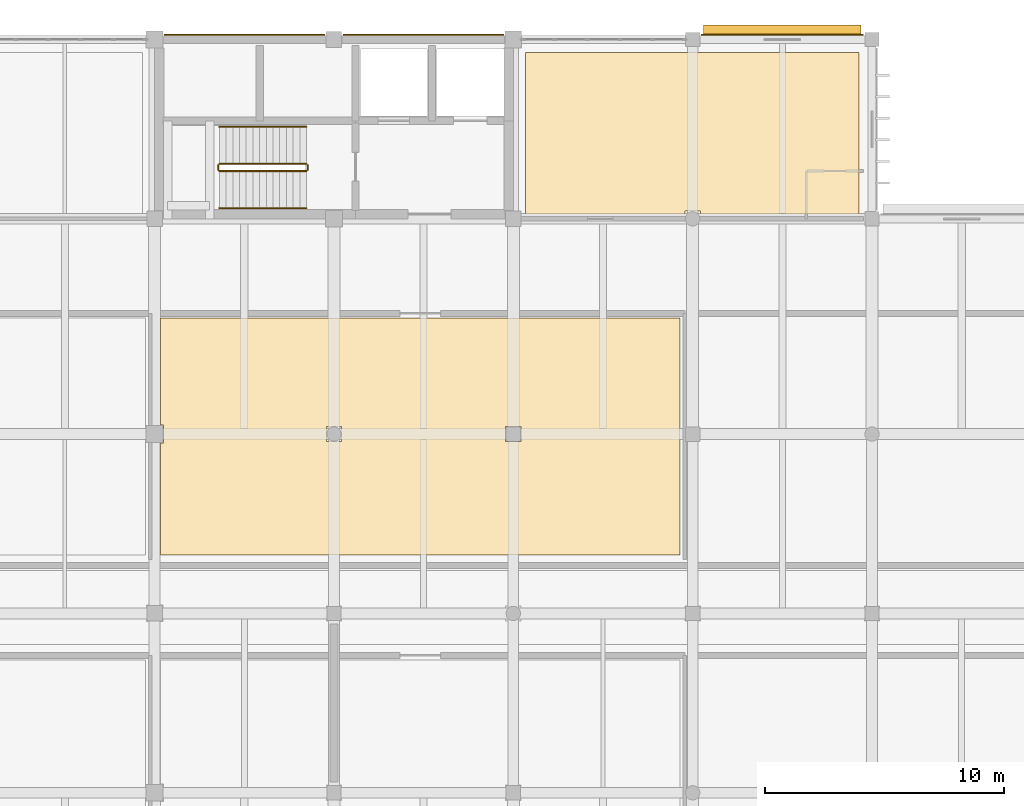
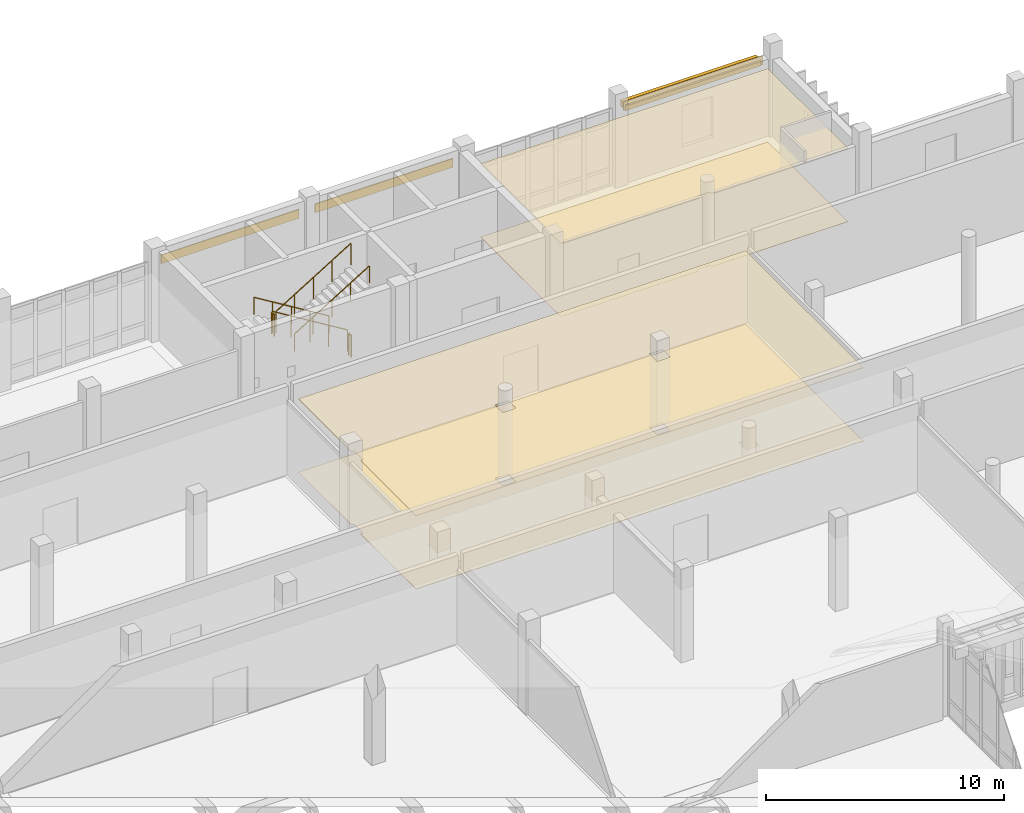
# One storey, part 126 of 131: 7 coverings, 6 railings, 1 shading device.
"""IFC4 building model written with IfcOpenShell, lengths in metres."""

from ifc_helpers import new_model, si_unit, direction, frame, origin, origin_2d, place, context, subcontext, project, spatial, polyline, rectangle, circle, outline, extrude, material, layer, layer_set, type_object, element, save


model = new_model("IFC4")

# Units and contexts
model_context = context("Model", 3, precision=1e-05, world=origin(), true_north=direction((0.0, 1.0)))
body_context = subcontext(model_context, "Body", "Model", "MODEL_VIEW")
ifc_project = project(units=[si_unit("LENGTHUNIT", "METRE"), si_unit("AREAUNIT", "SQUARE_METRE"), si_unit("VOLUMEUNIT", "CUBIC_METRE"), si_unit("PLANEANGLEUNIT", "RADIAN"), si_unit("MASSUNIT", "GRAM", prefix="KILO")], contexts=[model_context])

# Site, building, storey
site_placement = place(None, origin())
site = spatial("IfcSite", under=ifc_project, at=site_placement, CompositionType="ELEMENT")
building_placement = place(site_placement, origin())
building = spatial("IfcBuilding", under=site, at=building_placement, Name="Dalvernix Boulevard General Hospital", CompositionType="ELEMENT")
storey_placement = place(building_placement, frame((0.0, 0.0, 9.300048828125)))
storey = spatial("IfcBuildingStorey", under=building, at=storey_placement, Name="L02", CompositionType="ELEMENT", Elevation=9.300048828125)

# Coverings
ifc_material_1 = material(Name="Antimicrobial acoustic mineral-fibre suspended ceiling")
ifc_layer_1 = layer(ifc_material_1, 0.02490234375)
ifc_layer_set_1 = layer_set([ifc_layer_1], Name="Antimicrobial acoustic mineral-fibre suspended ceiling (COV-CEIL-01)")
covering_type_1 = type_object("IfcCoveringType", Name="COV-CEIL-01", PredefinedType="CEILING", material=ifc_layer_set_1)
covering_1_placement = place(storey_placement, frame((0.0, 0.0, 3.7548828125)))
element("IfcCovering", 1, at=covering_1_placement, inside=storey, type_object=covering_type_1, Name="L02 High Dependency Surgical Recovery Unit hygienic suspended ceiling", PredefinedType="CEILING", context=body_context, shape_type="SweptSolid", body=[
    extrude(outline(polyline([(120.320068359375, 109.699951171875), (120.320068359375, 109.820068359375), (119.679931640625, 109.820068359375), (119.679931640625, 109.699951171875), (113.0, 109.699951171875), (113.0, 116.449951171875), (126.949951171875, 116.449951171875), (126.949951171875, 109.699951171875), (120.320068359375, 109.699951171875)])), origin(), (0.0, 0.0, 1.0), 0.025146484375),
])
covering_2_placement = place(storey_placement, frame((0.0, 0.0, 3.7548828125)))
element("IfcCovering", 2, at=covering_2_placement, inside=storey, type_object=covering_type_1, Name="L02 Operating Theatre 04 hygienic suspended ceiling", PredefinedType="CEILING", context=body_context, shape_type="SweptSolid", body=[
    extrude(outline(polyline([(97.8701171875, 100.1298828125), (97.8701171875, 100.8701171875), (97.75, 100.8701171875), (97.75, 105.35009765625), (119.469970703125, 105.35009765625), (119.469970703125, 95.449951171875), (97.75, 95.449951171875), (97.75, 100.1298828125), (97.8701171875, 100.1298828125)]), holes=[polyline([(104.679931640625, 100.820068359375), (104.679931640625, 100.179931640625), (105.320068359375, 100.179931640625), (105.320068359375, 100.820068359375), (104.679931640625, 100.820068359375)]), polyline([(112.820068359375, 100.820068359375), (112.179931640625, 100.820068359375), (112.179931640625, 100.179931640625), (112.820068359375, 100.179931640625), (112.820068359375, 100.820068359375)])]), origin(), (0.0, 0.0, 1.0), 0.025146484375),
])
ifc_material_2 = material(Name="Polychrome Catalan glazed ceramic spandrel tile panel")
ifc_layer_2 = layer(ifc_material_2, 0.044921875)
ifc_layer_set_2 = layer_set([ifc_layer_2], Name="Polychrome Catalan glazed ceramic spandrel tile panel (COV-CLD-01)")
covering_type_2 = type_object("IfcCoveringType", Name="COV-CLD-01", PredefinedType="CLADDING", material=ifc_layer_set_2)
for number, where, z_axis, x_axis, name in (
    (3, (101.262451171875, 117.195068359375, 3.47509765625), (0.0, 0.0, 1.0), (1.0, 0.0, 0.0), "L02 polychrome ceramic spandrel N 13-15"),
    (4, (108.737548828125, 117.195068359375, 3.47509765625), (0.0, 0.0, 1.0), (1.0, 0.0, 0.0), "L02 polychrome ceramic spandrel N 14-15"),
):
    element("IfcCovering", number, at=place(storey_placement, frame(where, z_axis=z_axis, x_axis=x_axis)), inside=storey, type_object=covering_type_2, Name=name, PredefinedType="CLADDING", context=body_context, shape_type="SweptSolid", body=[
        extrude(rectangle(XDim=6.705078125, YDim=0.044921875, at=origin_2d()), origin(), (0.0, 0.0, 1.0), 0.449951171875),
    ])
covering_3_placement = place(storey_placement, frame((123.75, 117.195068359375, 3.47509765625), z_axis=(0.0, 0.0, 1.0), x_axis=(1.0, 0.0, 0.0)))
element("IfcCovering", 5, at=covering_3_placement, inside=storey, type_object=covering_type_2, Name="L02 polychrome ceramic spandrel N 16-15", PredefinedType="CLADDING", context=body_context, shape_type="SweptSolid", body=[
    extrude(rectangle(XDim=6.780029296875, YDim=0.044921875, at=origin_2d()), origin(), (0.0, 0.0, 1.0), 0.449951171875),
])
ifc_material_3 = material(Name="Seamless welded medical vinyl and polished terrazzo flooring")
ifc_layer_3 = layer(ifc_material_3, 0.014892578125)
ifc_layer_set_3 = layer_set([ifc_layer_3], Name="Seamless welded medical vinyl and polished terrazzo flooring (COV-FLR-01)")
covering_type_3 = type_object("IfcCoveringType", Name="COV-FLR-01", PredefinedType="FLOORING", material=ifc_layer_set_3)
covering_4_placement = place(storey_placement, origin())
element("IfcCovering", 6, at=covering_4_placement, inside=storey, type_object=covering_type_3, Name="L02 High Dependency Surgical Recovery Unit seamless clinical flooring", PredefinedType="FLOORING", context=body_context, shape_type="SweptSolid", body=[
    extrude(outline(polyline([(120.320068359375, 109.699951171875), (120.320068359375, 109.820068359375), (119.679931640625, 109.820068359375), (119.679931640625, 109.699951171875), (113.0, 109.699951171875), (113.0, 116.449951171875), (126.949951171875, 116.449951171875), (126.949951171875, 109.699951171875), (120.320068359375, 109.699951171875)])), origin(), (0.0, 0.0, 1.0), 0.014892578125),
])
covering_5_placement = place(storey_placement, origin())
element("IfcCovering", 7, at=covering_5_placement, inside=storey, type_object=covering_type_3, Name="L02 Operating Theatre 04 seamless clinical flooring", PredefinedType="FLOORING", context=body_context, shape_type="SweptSolid", body=[
    extrude(outline(polyline([(97.8701171875, 100.1298828125), (97.8701171875, 100.8701171875), (97.75, 100.8701171875), (97.75, 105.35009765625), (119.469970703125, 105.35009765625), (119.469970703125, 95.449951171875), (97.75, 95.449951171875), (97.75, 100.1298828125), (97.8701171875, 100.1298828125)]), holes=[polyline([(104.679931640625, 100.820068359375), (104.679931640625, 100.179931640625), (105.320068359375, 100.179931640625), (105.320068359375, 100.820068359375), (104.679931640625, 100.820068359375)]), polyline([(112.820068359375, 100.820068359375), (112.179931640625, 100.820068359375), (112.179931640625, 100.179931640625), (112.820068359375, 100.179931640625), (112.820068359375, 100.820068359375)])]), origin(), (0.0, 0.0, 1.0), 0.014892578125),
])

# Railings
ifc_material_4 = material(Name="Brushed stainless steel balustrade", Category="steel")
railing_type_1 = type_object("IfcRailingType", Name="RL-GR-INT1", PredefinedType="BALUSTRADE", material=ifc_material_4)
railing_1_placement = place(storey_placement, frame((103.85009765625, 111.800048828125, 0.17138671875)))
element("IfcRailing", 8, at=railing_1_placement, inside=storey, type_object=railing_type_1, Name="L02 ST-04 stair guard 1", PredefinedType="BALUSTRADE", context=body_context, shape_type="SweptSolid", body=[
    extrude(circle(Radius=0.02392578125, at=origin_2d()), frame((0.0, 0.0, 1.09619140625), z_axis=(-0.852865859571, 0.0, 0.52213008492), x_axis=(0.0, -1.0, 0.0)), (0.0, 0.0, 1.0), 4.26806640625),
    extrude(circle(Radius=0.02099609375, at=origin_2d()), origin(), (0.0, 0.0, 1.0), 1.072021484375),
    extrude(circle(Radius=0.02099609375, at=origin_2d()), frame((-0.91015625, 0.0, 0.55712890625)), (0.0, 0.0, 1.0), 1.072021484375),
    extrude(circle(Radius=0.02099609375, at=origin_2d()), frame((-1.820068359375, 0.0, 1.1142578125)), (0.0, 0.0, 1.0), 1.072021484375),
    extrude(circle(Radius=0.02099609375, at=origin_2d()), frame((-2.72998046875, 0.0, 1.67138671875)), (0.0, 0.0, 1.0), 1.072021484375),
    extrude(circle(Radius=0.02099609375, at=origin_2d()), frame((-3.64013671875, 0.0, 2.228515625)), (0.0, 0.0, 1.0), 1.072021484375),
])
railing_2_placement = place(storey_placement, frame((100.159912109375, 111.75, 2.39990234375)))
element("IfcRailing", 9, at=railing_2_placement, inside=storey, type_object=railing_type_1, Name="L02 ST-04 stair guard 2", PredefinedType="BALUSTRADE", context=body_context, shape_type="SweptSolid", body=[
    extrude(circle(Radius=0.02392578125, at=origin_2d()), frame((0.0, 0.0, 1.09619140625), z_axis=(0.0, -1.0, 0.0), x_axis=(1.0, 0.0, 0.0)), (0.0, 0.0, 1.0), 0.199951171875),
    extrude(circle(Radius=0.02099609375, at=origin_2d()), origin(), (0.0, 0.0, 1.0), 1.072021484375),
    extrude(circle(Radius=0.02099609375, at=origin_2d()), frame((0.0, -0.199951171875, 0.0)), (0.0, 0.0, 1.0), 1.072021484375),
])
railing_3_placement = place(storey_placement, frame((100.2099609375, 111.5, 2.5712890625)))
element("IfcRailing", 10, at=railing_3_placement, inside=storey, type_object=railing_type_1, Name="L02 ST-04 stair guard 3", PredefinedType="BALUSTRADE", context=body_context, shape_type="SweptSolid", body=[
    extrude(circle(Radius=0.02392578125, at=origin_2d()), frame((0.0, 0.0, 1.09619140625), z_axis=(0.852840387347, 0.0, 0.522171689878), x_axis=(0.0, 1.0, 0.0)), (0.0, 0.0, 1.0), 4.268310546875),
    extrude(circle(Radius=0.02099609375, at=origin_2d()), origin(), (0.0, 0.0, 1.0), 1.072021484375),
    extrude(circle(Radius=0.02099609375, at=origin_2d()), frame((0.91015625, 0.0, 0.55712890625)), (0.0, 0.0, 1.0), 1.072021484375),
    extrude(circle(Radius=0.02099609375, at=origin_2d()), frame((1.820068359375, 0.0, 1.1142578125)), (0.0, 0.0, 1.0), 1.072021484375),
    extrude(circle(Radius=0.02099609375, at=origin_2d()), frame((2.72998046875, 0.0, 1.671630859375)), (0.0, 0.0, 1.0), 1.072021484375),
    extrude(circle(Radius=0.02099609375, at=origin_2d()), frame((3.64013671875, 0.0, 2.228759765625)), (0.0, 0.0, 1.0), 1.072021484375),
])
railing_4_placement = place(storey_placement, frame((103.89990234375, 111.75, 0.0)))
element("IfcRailing", 11, at=railing_4_placement, inside=storey, type_object=railing_type_1, Name="L02 ST-04 stair guard 4", PredefinedType="BALUSTRADE", context=body_context, shape_type="SweptSolid", body=[
    extrude(circle(Radius=0.02392578125, at=origin_2d()), frame((0.0, 0.0, 1.09619140625), z_axis=(0.0, -1.0, 0.0), x_axis=(1.0, 0.0, 0.0)), (0.0, 0.0, 1.0), 0.199951171875),
    extrude(circle(Radius=0.02099609375, at=origin_2d()), origin(), (0.0, 0.0, 1.0), 1.072021484375),
    extrude(circle(Radius=0.02099609375, at=origin_2d()), frame((0.0, -0.199951171875, 0.0)), (0.0, 0.0, 1.0), 1.072021484375),
])
ifc_material_5 = material(Name="Brushed stainless steel wall handrail", Category="steel")
railing_type_2 = type_object("IfcRailingType", Name="RL-HR-INT1", PredefinedType="HANDRAIL", material=ifc_material_5)
railing_5_placement = place(storey_placement, frame((103.85009765625, 113.35009765625, 0.17138671875)))
element("IfcRailing", 12, at=railing_5_placement, inside=storey, type_object=railing_type_2, Name="L02 ST-04 stair handrail 1", PredefinedType="HANDRAIL", context=body_context, shape_type="SweptSolid", body=[
    extrude(circle(Radius=0.02392578125, at=origin_2d()), frame((0.0, 0.0, 0.8759765625), z_axis=(-0.852865859571, 0.0, 0.52213008492), x_axis=(0.0, -1.0, 0.0)), (0.0, 0.0, 1.0), 4.26806640625),
    extrude(circle(Radius=0.02099609375, at=origin_2d()), origin(), (0.0, 0.0, 1.0), 0.851806640625),
    extrude(circle(Radius=0.02099609375, at=origin_2d()), frame((-0.91015625, 0.0, 0.55712890625)), (0.0, 0.0, 1.0), 0.851806640625),
    extrude(circle(Radius=0.02099609375, at=origin_2d()), frame((-1.820068359375, 0.0, 1.1142578125)), (0.0, 0.0, 1.0), 0.851806640625),
    extrude(circle(Radius=0.02099609375, at=origin_2d()), frame((-2.72998046875, 0.0, 1.67138671875)), (0.0, 0.0, 1.0), 0.851806640625),
    extrude(circle(Radius=0.02099609375, at=origin_2d()), frame((-3.64013671875, 0.0, 2.228515625)), (0.0, 0.0, 1.0), 0.851806640625),
])
railing_6_placement = place(storey_placement, frame((100.2099609375, 109.949951171875, 2.5712890625)))
element("IfcRailing", 13, at=railing_6_placement, inside=storey, type_object=railing_type_2, Name="L02 ST-04 stair handrail 2", PredefinedType="HANDRAIL", context=body_context, shape_type="SweptSolid", body=[
    extrude(circle(Radius=0.02392578125, at=origin_2d()), frame((0.0, 0.0, 0.8759765625), z_axis=(0.852840387347, 0.0, 0.522171689878), x_axis=(0.0, 1.0, 0.0)), (0.0, 0.0, 1.0), 4.268310546875),
    extrude(circle(Radius=0.02099609375, at=origin_2d()), origin(), (0.0, 0.0, 1.0), 0.851806640625),
    extrude(circle(Radius=0.02099609375, at=origin_2d()), frame((0.91015625, 0.0, 0.55712890625)), (0.0, 0.0, 1.0), 0.851806640625),
    extrude(circle(Radius=0.02099609375, at=origin_2d()), frame((1.820068359375, 0.0, 1.1142578125)), (0.0, 0.0, 1.0), 0.851806640625),
    extrude(circle(Radius=0.02099609375, at=origin_2d()), frame((2.72998046875, 0.0, 1.671630859375)), (0.0, 0.0, 1.0), 0.851806640625),
    extrude(circle(Radius=0.02099609375, at=origin_2d()), frame((3.64013671875, 0.0, 2.228759765625)), (0.0, 0.0, 1.0), 0.851806640625),
])

# Shading device
ifc_material_6 = material(Name="Extruded aluminium solar jalousie louvre bank", Category="aluminium")
shading_device_type = type_object("IfcShadingDeviceType", Name="SHD-JAL-01", PredefinedType="JALOUSIE", material=ifc_material_6)
shading_device_placement = place(storey_placement, frame((123.75, 117.385009765625, 3.44970703125), z_axis=(0.0, 0.0, 1.0), x_axis=(1.0, 0.0, 0.0)))
element("IfcShadingDevice", 14, at=shading_device_placement, inside=storey, type_object=shading_device_type, Name="L02 solar jalousie louvre N 16-15", PredefinedType="JALOUSIE", context=body_context, shape_type="SweptSolid", body=[
    extrude(rectangle(XDim=6.580078125, YDim=0.449951171875, at=origin_2d()), origin(), (0.0, 0.0, 1.0), 0.300048828125),
])

save(model, "model.ifc")
